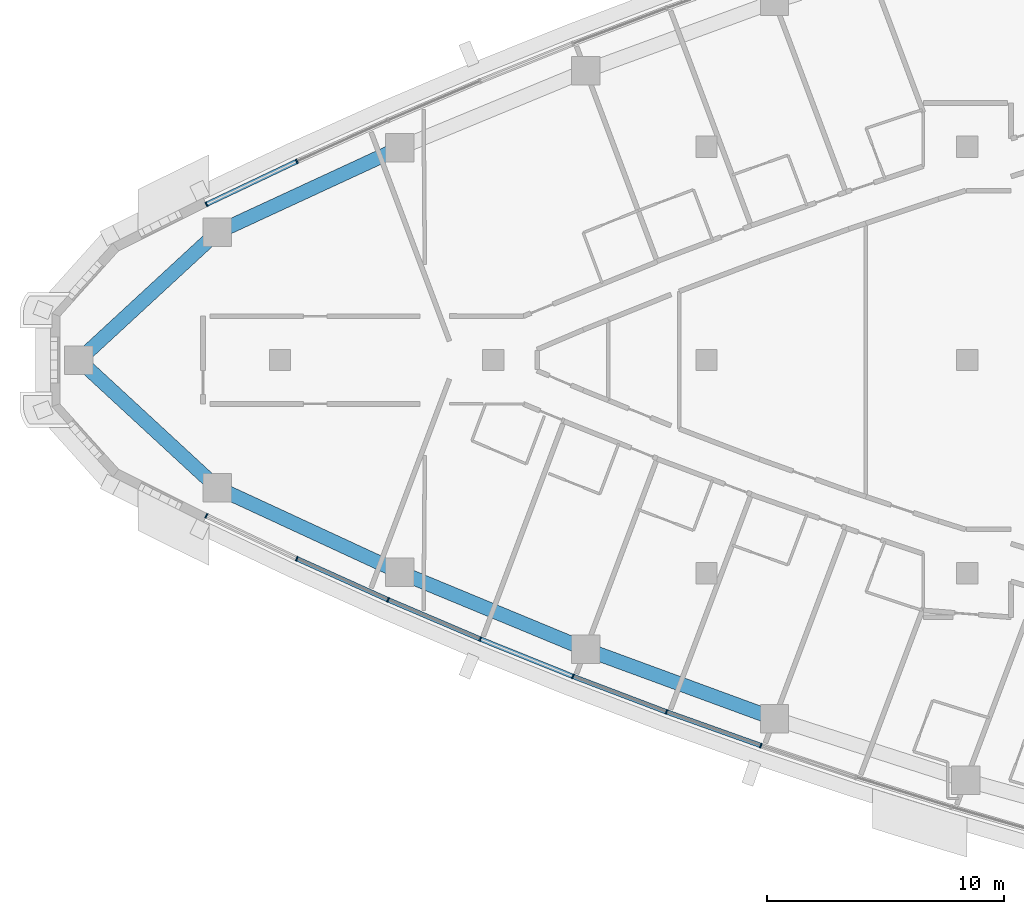
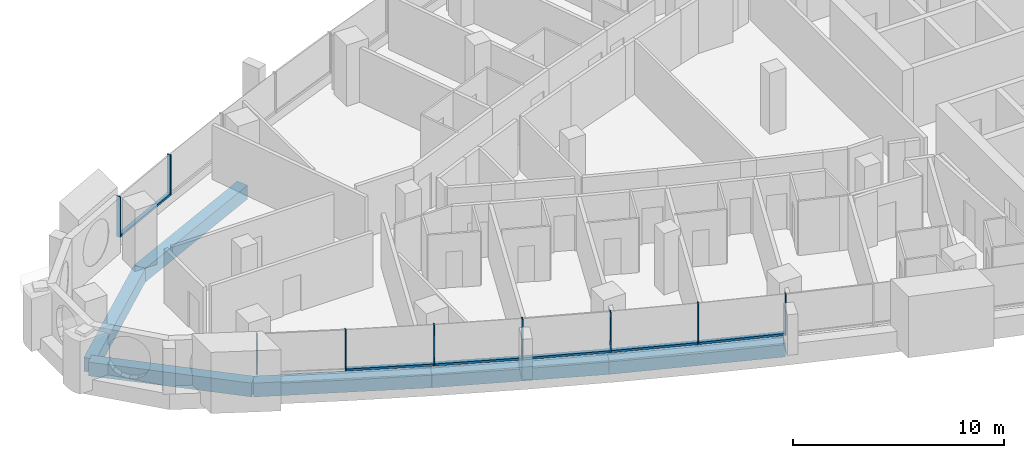
# One storey, part 2 of 16: 15 members, 6 beams, 4 elements without a shape of their own.
"""IFC4 building model written with IfcOpenShell, lengths in metres."""

from ifc_helpers import new_model, si_unit, direction, frame, origin, origin_2d, place, context, subcontext, project, spatial, rectangle, extrude, material, layer, layer_set, material_profile, profile_set, type_object, element, aggregate, save


model = new_model("IFC4")

# Units and contexts
model_context = context("Model", 3, precision=1e-05, world=origin(), true_north=direction((0.0, 1.0)))
body_context = subcontext(model_context, "Body", "Model", "MODEL_VIEW")
ifc_project = project(units=[si_unit("LENGTHUNIT", "METRE"), si_unit("AREAUNIT", "SQUARE_METRE"), si_unit("VOLUMEUNIT", "CUBIC_METRE"), si_unit("PLANEANGLEUNIT", "RADIAN"), si_unit("MASSUNIT", "GRAM", prefix="KILO")], contexts=[model_context])

# Site, building, storey
site_placement = place(None, origin())
site = spatial("IfcSite", under=ifc_project, at=site_placement, CompositionType="ELEMENT")
building_placement = place(site_placement, origin())
building = spatial("IfcBuilding", under=site, at=building_placement, Name="Ostrand Prow Hotel Tower", CompositionType="ELEMENT")
storey_placement = place(building_placement, frame((0.0, 0.0, 252.75)))
storey = spatial("IfcBuildingStorey", under=building, at=storey_placement, Name="L64", CompositionType="ELEMENT", Elevation=252.75)

# Beams
ifc_material_1 = material(Name="Concrete C50/60", Category="concrete")
ifc_material_profile_1 = material_profile(ifc_material_1, rectangle(XDim=0.60009765625, YDim=0.800048828125, at=origin_2d()), Name="RC 600x800")
ifc_profile_set_1 = profile_set([ifc_material_profile_1], Name="Concrete C50/60")
beam_type = type_object("IfcBeamType", Name="Edge beam 600x800 C50/60", PredefinedType="SPANDREL", material=ifc_profile_set_1)
beam_1_placement = place(storey_placement, frame((7.513916015625, 0.0, -0.699951171875), z_axis=(0.734806976358, -0.678276276672, 0.0), x_axis=(0.678276276672, 0.734806976358, 0.0)))
element("IfcBeam", 1, at=beam_1_placement, inside=storey, type_object=beam_type, Name="Edge beam P-S1", PredefinedType="SPANDREL", context=body_context, shape_type="SweptSolid", body=[
    extrude(rectangle(XDim=0.60009765625, YDim=0.800048828125, at=origin_2d()), origin(), (0.0, 0.0, 1.0), 7.95068359375),
])
beam_2_placement = place(storey_placement, frame((13.356201171875, -5.392822265625, -0.699951171875), z_axis=(0.907521936352, -0.420004684544, 0.0), x_axis=(0.420004684544, 0.907521936352, 0.0)))
element("IfcBeam", 2, at=beam_2_placement, inside=storey, type_object=beam_type, Name="Edge beam S1-S2", PredefinedType="SPANDREL", context=body_context, shape_type="SweptSolid", body=[
    extrude(rectangle(XDim=0.60009765625, YDim=0.800048828125, at=origin_2d()), origin(), (0.0, 0.0, 1.0), 8.4873046875),
])
for number, where, z_axis, x_axis, name in (
    (3, (21.05859375, -8.95751953125, -0.699951171875), (0.923890977326, -0.38265580097, 0.0), (0.38265580097, 0.923890977326, 0.0), "Edge beam S2-S3"),
    (4, (28.900146484375, -12.205322265625, -0.699951171875), (0.938684959139, -0.344776083113, 0.0), (0.344776083113, 0.938684959139, 0.0), "Edge beam S3-S4"),
):
    element("IfcBeam", number, at=place(storey_placement, frame(where, z_axis=z_axis, x_axis=x_axis)), inside=storey, type_object=beam_type, Name=name, PredefinedType="SPANDREL", context=body_context, shape_type="SweptSolid", body=[
        extrude(rectangle(XDim=0.60009765625, YDim=0.800048828125, at=origin_2d()), origin(), (0.0, 0.0, 1.0), 8.487548828125),
    ])
beam_3_placement = place(storey_placement, frame((21.05859375, 8.95751953125, -0.699951171875), z_axis=(-0.907521936352, -0.420004684544, 0.0), x_axis=(0.420004684544, -0.907521936352, 0.0)))
element("IfcBeam", 5, at=beam_3_placement, inside=storey, type_object=beam_type, Name="Edge beam N5-N6", PredefinedType="SPANDREL", context=body_context, shape_type="SweptSolid", body=[
    extrude(rectangle(XDim=0.60009765625, YDim=0.800048828125, at=origin_2d()), origin(), (0.0, 0.0, 1.0), 8.4873046875),
])
beam_4_placement = place(storey_placement, frame((13.356201171875, 5.392822265625, -0.699951171875), z_axis=(-0.734806976358, -0.678276276672, 0.0), x_axis=(0.678276276672, -0.734806976358, 0.0)))
element("IfcBeam", 6, at=beam_4_placement, inside=storey, type_object=beam_type, Name="Edge beam N6-P", PredefinedType="SPANDREL", context=body_context, shape_type="SweptSolid", body=[
    extrude(rectangle(XDim=0.60009765625, YDim=0.800048828125, at=origin_2d()), origin(), (0.0, 0.0, 1.0), 7.95068359375),
])

# Curtain wall, members
ifc_material_2 = material(Name="Insulated glass in bronze anodised frame", Category="glass")
ifc_layer = layer(ifc_material_2, 0.199951171875)
ifc_layer_set = layer_set([ifc_layer], Name="Insulated glass in bronze anodised frame")
curtain_wall_type = type_object("IfcCurtainWallType", Name="Strip curtain wall, fritted glass over bronze spandrel", PredefinedType="NOTDEFINED", material=ifc_layer_set)
curtain_wall_1_placement = place(storey_placement, origin())
curtain_wall_1 = element("IfcCurtainWall", 7, at=curtain_wall_1_placement, inside=storey, type_object=curtain_wall_type, Name="CW1 run CWS1", PredefinedType="NOTDEFINED")
ifc_material_3 = material(Name="Bronze anodised aluminium", Category="aluminium")
ifc_material_profile_2 = material_profile(ifc_material_3, rectangle(XDim=0.199951171875, YDim=0.06005859375, at=origin_2d()), Name="Mullion 60x200 bronze anodised aluminium")
ifc_profile_set_2 = profile_set([ifc_material_profile_2], Name="Bronze anodised aluminium")
member_type_1 = type_object("IfcMemberType", Name="Mullion 60x200 bronze anodised aluminium", PredefinedType="MULLION", material=ifc_profile_set_2)
member_1_placement = place(storey_placement, frame((12.893310546875, -6.57080078125, 0.89990234375), z_axis=(0.0, 0.0, 1.0), x_axis=(0.428861030937, 0.903370475577, 0.0)))
member_1 = element("IfcMember", 8, at=member_1_placement, type_object=member_type_1, Name="CW1 mullion 1", PredefinedType="MULLION", context=body_context, shape_type="SweptSolid", body=[
    extrude(rectangle(XDim=0.199951171875, YDim=0.06005859375, at=origin_2d()), origin(), (0.0, 0.0, 1.0), 2.35009765625),
])
member_2_placement = place(storey_placement, frame((16.708740234375, -8.382080078125, 0.89990234375), z_axis=(0.0, 0.0, 1.0), x_axis=(0.41058199404, 0.911823681514, 0.0)))
member_2 = element("IfcMember", 9, at=member_2_placement, type_object=member_type_1, Name="CW1 mullion 2", PredefinedType="MULLION", context=body_context, shape_type="SweptSolid", body=[
    extrude(rectangle(XDim=0.199951171875, YDim=0.06005859375, at=origin_2d()), origin(), (0.0, 0.0, 1.0), 2.35009765625),
])
member_3_placement = place(storey_placement, frame((20.56005859375, -10.116455078125, 0.89990234375), z_axis=(0.0, 0.0, 1.0), x_axis=(0.41058199404, 0.911823681514, 0.0)))
member_3 = element("IfcMember", 10, at=member_3_placement, type_object=member_type_1, Name="CW1 mullion 3", PredefinedType="MULLION", context=body_context, shape_type="SweptSolid", body=[
    extrude(rectangle(XDim=0.199951171875, YDim=0.06005859375, at=origin_2d()), origin(), (0.0, 0.0, 1.0), 2.35009765625),
])

curtain_wall_2_placement = place(storey_placement, origin())
curtain_wall_2 = element("IfcCurtainWall", 11, at=curtain_wall_2_placement, inside=storey, type_object=curtain_wall_type, Name="CW1 run CWS2", PredefinedType="NOTDEFINED")
member_4_placement = place(storey_placement, frame((24.445556640625, -11.772705078125, 0.89990234375), z_axis=(0.0, 0.0, 1.0), x_axis=(0.373533449004, 0.927616710972, 0.0)))
member_4 = element("IfcMember", 12, at=member_4_placement, type_object=member_type_1, Name="CW1 mullion 2", PredefinedType="MULLION", context=body_context, shape_type="SweptSolid", body=[
    extrude(rectangle(XDim=0.199951171875, YDim=0.06005859375, at=origin_2d()), origin(), (0.0, 0.0, 1.0), 2.35009765625),
])
member_5_placement = place(storey_placement, frame((28.363525390625, -13.350341796875, 0.89990234375), z_axis=(0.0, 0.0, 1.0), x_axis=(0.373533449004, 0.927616710972, 0.0)))
member_5 = element("IfcMember", 13, at=member_5_placement, type_object=member_type_1, Name="CW1 mullion 3", PredefinedType="MULLION", context=body_context, shape_type="SweptSolid", body=[
    extrude(rectangle(XDim=0.199951171875, YDim=0.06005859375, at=origin_2d()), origin(), (0.0, 0.0, 1.0), 2.35009765625),
])

curtain_wall_3_placement = place(storey_placement, origin())
curtain_wall_3 = element("IfcCurtainWall", 14, at=curtain_wall_3_placement, inside=storey, type_object=curtain_wall_type, Name="CW1 run CWS3", PredefinedType="NOTDEFINED")
member_6_placement = place(storey_placement, frame((32.3125, -14.848876953125, 0.89990234375), z_axis=(0.0, 0.0, 1.0), x_axis=(0.335877383374, 0.941905718922, 0.0)))
member_6 = element("IfcMember", 15, at=member_6_placement, type_object=member_type_1, Name="CW1 mullion 2", PredefinedType="MULLION", context=body_context, shape_type="SweptSolid", body=[
    extrude(rectangle(XDim=0.199951171875, YDim=0.06005859375, at=origin_2d()), origin(), (0.0, 0.0, 1.0), 2.35009765625),
])
member_7_placement = place(storey_placement, frame((36.291015625, -16.267578125, 0.89990234375), z_axis=(0.0, 0.0, 1.0), x_axis=(0.335877383374, 0.941905718922, 0.0)))
member_7 = element("IfcMember", 16, at=member_7_placement, type_object=member_type_1, Name="CW1 mullion 3", PredefinedType="MULLION", context=body_context, shape_type="SweptSolid", body=[
    extrude(rectangle(XDim=0.199951171875, YDim=0.06005859375, at=origin_2d()), origin(), (0.0, 0.0, 1.0), 2.35009765625),
])

curtain_wall_4_placement = place(storey_placement, origin())
curtain_wall_4 = element("IfcCurtainWall", 17, at=curtain_wall_4_placement, inside=storey, type_object=curtain_wall_type, Name="CW1 run CWN5", PredefinedType="NOTDEFINED")
member_8_placement = place(storey_placement, frame((16.708740234375, 8.382080078125, 0.89990234375), z_axis=(0.0, 0.0, 1.0), x_axis=(0.428861030937, -0.903370475577, 0.0)))
member_8 = element("IfcMember", 18, at=member_8_placement, type_object=member_type_1, Name="CW1 mullion 2", PredefinedType="MULLION", context=body_context, shape_type="SweptSolid", body=[
    extrude(rectangle(XDim=0.199951171875, YDim=0.06005859375, at=origin_2d()), origin(), (0.0, 0.0, 1.0), 2.35009765625),
])
member_9_placement = place(storey_placement, frame((12.893310546875, 6.57080078125, 0.89990234375), z_axis=(0.0, 0.0, 1.0), x_axis=(0.428861030937, -0.903370475577, 0.0)))
member_9 = element("IfcMember", 19, at=member_9_placement, type_object=member_type_1, Name="CW1 mullion 3", PredefinedType="MULLION", context=body_context, shape_type="SweptSolid", body=[
    extrude(rectangle(XDim=0.199951171875, YDim=0.06005859375, at=origin_2d()), origin(), (0.0, 0.0, 1.0), 2.35009765625),
])

# Member
ifc_material_4 = material(Name="Bronze anodised aluminium", Category="aluminium")
ifc_material_profile_3 = material_profile(ifc_material_4, rectangle(XDim=0.199951171875, YDim=0.1201171875, at=origin_2d()), Name="Transom 120x200 bronze anodised aluminium")
ifc_profile_set_3 = profile_set([ifc_material_profile_3], Name="Bronze anodised aluminium")
member_type_2 = type_object("IfcMemberType", Name="Transom 120x200 bronze anodised aluminium", PredefinedType="USERDEFINED", material=ifc_profile_set_3)
member_10_placement = place(storey_placement, frame((16.736083984375, -8.39453125, 0.9599609375), z_axis=(0.911832617051, -0.410562149353, 0.0), x_axis=(0.410562149353, 0.911832617051, 0.0)))
member_10 = element("IfcMember", 20, at=member_10_placement, type_object=member_type_2, Name="CW1 transom 2.1", ObjectType="TRANSOM", PredefinedType="USERDEFINED", context=body_context, shape_type="SweptSolid", body=[
    extrude(rectangle(XDim=0.199951171875, YDim=0.1201171875, at=origin_2d()), origin(), (0.0, 0.0, 1.0), 4.163818359375),
])

aggregate(curtain_wall_1, [member_1, member_2, member_3, member_10])

member_11_placement = place(storey_placement, frame((20.587646484375, -10.128173828125, 0.9599609375), z_axis=(0.919904541337, -0.392142365509, 0.0), x_axis=(0.392142365509, 0.919904541337, 0.0)))
member_11 = element("IfcMember", 21, at=member_11_placement, type_object=member_type_2, Name="CW1 transom 1.1", ObjectType="TRANSOM", PredefinedType="USERDEFINED", context=body_context, shape_type="SweptSolid", body=[
    extrude(rectangle(XDim=0.199951171875, YDim=0.1201171875, at=origin_2d()), origin(), (0.0, 0.0, 1.0), 4.163818359375),
])

member_12_placement = place(storey_placement, frame((24.473388671875, -11.783935546875, 0.9599609375), z_axis=(0.927625049372, -0.373512741119, 0.0), x_axis=(0.373512741119, 0.927625049372, 0.0)))
member_12 = element("IfcMember", 22, at=member_12_placement, type_object=member_type_2, Name="CW1 transom 2.1", ObjectType="TRANSOM", PredefinedType="USERDEFINED", context=body_context, shape_type="SweptSolid", body=[
    extrude(rectangle(XDim=0.199951171875, YDim=0.1201171875, at=origin_2d()), origin(), (0.0, 0.0, 1.0), 4.16357421875),
])

aggregate(curtain_wall_2, [member_4, member_5, member_11, member_12])

member_13_placement = place(storey_placement, frame((28.3916015625, -13.361083984375, 0.9599609375), z_axis=(0.934960644813, -0.354751451936, 0.0), x_axis=(0.354751451936, 0.934960644813, 0.0)))
member_13 = element("IfcMember", 23, at=member_13_placement, type_object=member_type_2, Name="CW1 transom 1.1", ObjectType="TRANSOM", PredefinedType="USERDEFINED", context=body_context, shape_type="SweptSolid", body=[
    extrude(rectangle(XDim=0.199951171875, YDim=0.1201171875, at=origin_2d()), origin(), (0.0, 0.0, 1.0), 4.16357421875),
])

member_14_placement = place(storey_placement, frame((32.3408203125, -14.85888671875, 0.9599609375), z_axis=(0.941911594104, -0.335860907061, 0.0), x_axis=(0.335860907061, 0.941911594104, 0.0)))
member_14 = element("IfcMember", 24, at=member_14_placement, type_object=member_type_2, Name="CW1 transom 2.1", ObjectType="TRANSOM", PredefinedType="USERDEFINED", context=body_context, shape_type="SweptSolid", body=[
    extrude(rectangle(XDim=0.199951171875, YDim=0.1201171875, at=origin_2d()), origin(), (0.0, 0.0, 1.0), 4.163818359375),
])

aggregate(curtain_wall_3, [member_6, member_7, member_13, member_14])

member_15_placement = place(storey_placement, frame((16.681640625, 8.369384765625, 0.9599609375), z_axis=(-0.903364977925, -0.428872611226, 0.0), x_axis=(0.428872611226, -0.903364977925, 0.0)))
member_15 = element("IfcMember", 25, at=member_15_placement, type_object=member_type_2, Name="CW1 transom 2.1", ObjectType="TRANSOM", PredefinedType="USERDEFINED", context=body_context, shape_type="SweptSolid", body=[
    extrude(rectangle(XDim=0.199951171875, YDim=0.1201171875, at=origin_2d()), origin(), (0.0, 0.0, 1.0), 4.16357421875),
])

aggregate(curtain_wall_4, [member_8, member_9, member_15])

save(model, "model.ifc")
